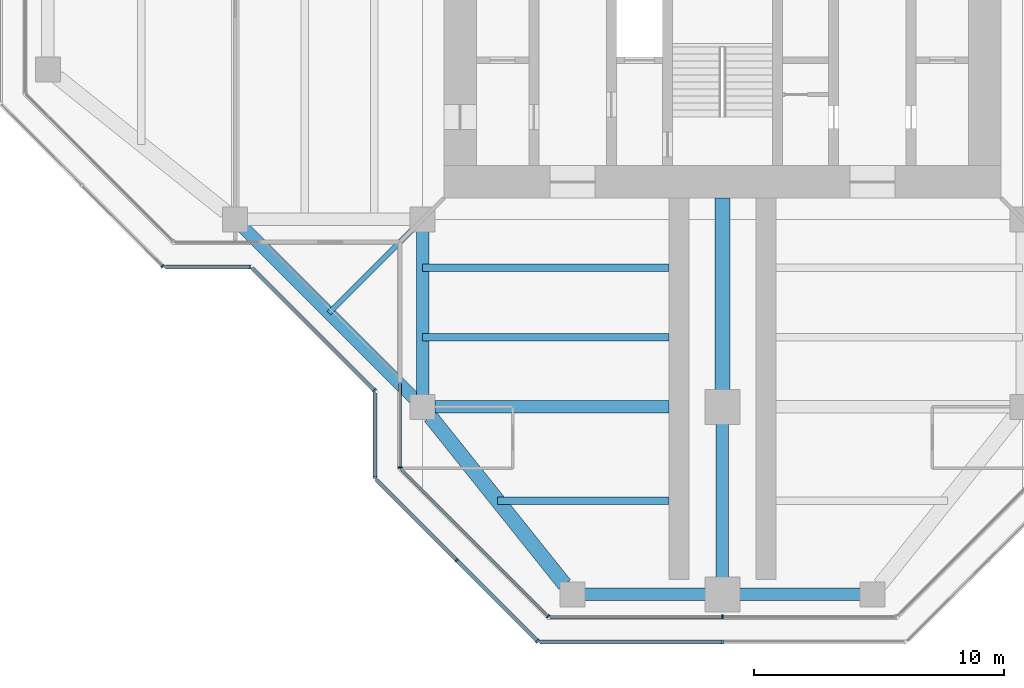
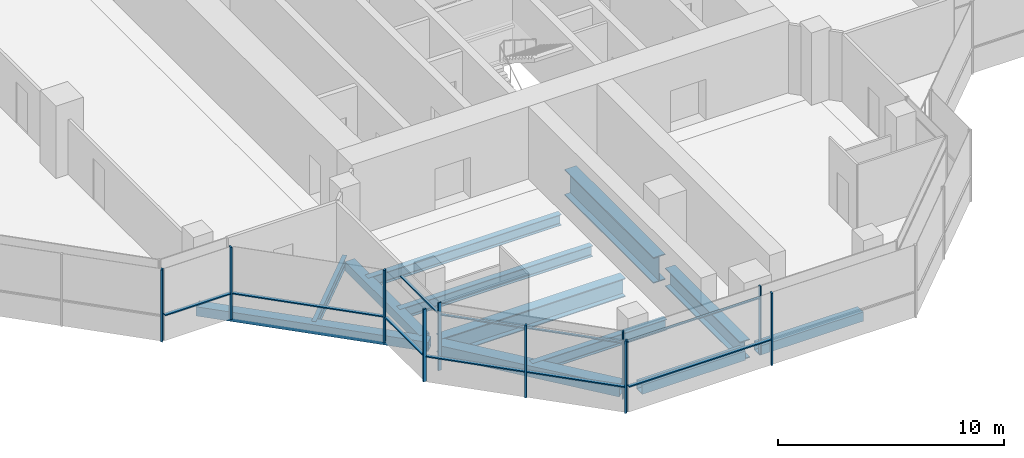
# One storey, part 2 of 15: 19 members, 12 beams, 9 elements without a shape of their own.
"""IFC4 building model written with IfcOpenShell, lengths in metres."""

from ifc_helpers import new_model, si_unit, direction, frame, origin, origin_2d, place, context, subcontext, project, spatial, rectangle, hollow_rectangle, i_section, extrude, material, material_profile, profile_set, type_object, element, aggregate, save


model = new_model("IFC4")

# Units and contexts
model_context = context("Model", 3, precision=1e-05, world=origin(), true_north=direction((0.0, 1.0)))
body_context = subcontext(model_context, "Body", "Model", "MODEL_VIEW")
ifc_project = project(units=[si_unit("LENGTHUNIT", "METRE"), si_unit("AREAUNIT", "SQUARE_METRE"), si_unit("VOLUMEUNIT", "CUBIC_METRE"), si_unit("PLANEANGLEUNIT", "RADIAN"), si_unit("MASSUNIT", "GRAM", prefix="KILO")], contexts=[model_context])

# Site, building, storey
site_placement = place(None, origin())
site = spatial("IfcSite", under=ifc_project, at=site_placement, CompositionType="ELEMENT")
building_placement = place(site_placement, origin())
building = spatial("IfcBuilding", under=site, at=building_placement, Name="Mizan Broadcast Tower", CompositionType="ELEMENT")
storey_placement = place(building_placement, frame((0.0, 0.0, 302.39990234375)))
storey = spatial("IfcBuildingStorey", under=building, at=storey_placement, Name="L72", CompositionType="ELEMENT", Elevation=302.39990234375)

# Beams
ifc_material_1 = material(Name="Steel S355", Category="steel")
ifc_material_profile_1 = material_profile(ifc_material_1, hollow_rectangle(XDim=0.5, YDim=0.5, WallThickness=0.030029296875, at=origin_2d()), Name="BOX 500x500x30")
ifc_profile_set_1 = profile_set([ifc_material_profile_1], Name="Steel S355")
beam_type_1 = type_object("IfcBeamType", Name="EDGE BEAM BOX 500x500x30", PredefinedType="SPANDREL", material=ifc_profile_set_1)
beam_1_placement = place(storey_placement, frame((-12.0, -12.449951171875, -0.3798828125), z_axis=(0.0, -1.0, 0.0), x_axis=(1.0, 0.0, 0.0)))
element("IfcBeam", 1, at=beam_1_placement, inside=storey, type_object=beam_type_1, Name="Edge beam BOX 500x500x30 L72 south arm", PredefinedType="SPANDREL", context=body_context, shape_type="SweptSolid", body=[
    extrude(hollow_rectangle(XDim=0.5, YDim=0.5, WallThickness=0.030029296875, at=origin_2d()), origin(), (0.0, 0.0, 1.0), 6.60009765625),
])
for number, where, z_axis, x_axis, name in (
    (2, (-5.639892578125, -27.0, -0.3798828125), (1.0, 0.0, 0.0), (0.0, 1.0, 0.0), "Edge beam BOX 500x500x30 L72 south arm"),
    (3, (5.639892578125, -27.0, -0.3798828125), (-1.0, 0.0, 0.0), (0.0, -1.0, 0.0), "Edge beam BOX 500x500x30 L72 south arm"),
):
    element("IfcBeam", number, at=place(storey_placement, frame(where, z_axis=z_axis, x_axis=x_axis)), inside=storey, type_object=beam_type_1, Name=name, PredefinedType="SPANDREL", context=body_context, shape_type="SweptSolid", body=[
        extrude(hollow_rectangle(XDim=0.5, YDim=0.5, WallThickness=0.030029296875, at=origin_2d()), origin(), (0.0, 0.0, 1.0), 5.27978515625),
    ])
beam_2_placement = place(storey_placement, frame((-19.5, -12.0, -0.3798828125), z_axis=(0.707106781187, -0.707106781187, 0.0), x_axis=(0.707106781187, 0.707106781187, 0.0)))
element("IfcBeam", 4, at=beam_2_placement, inside=storey, type_object=beam_type_1, Name="Winter garden edge beam L72 W", PredefinedType="SPANDREL", context=body_context, shape_type="SweptSolid", body=[
    extrude(hollow_rectangle(XDim=0.5, YDim=0.5, WallThickness=0.030029296875, at=origin_2d()), origin(), (0.0, 0.0, 1.0), 10.606689453125),
])
ifc_material_2 = material(Name="Steel S355", Category="steel")
ifc_material_profile_2 = material_profile(ifc_material_2, hollow_rectangle(XDim=0.60009765625, YDim=0.60009765625, WallThickness=0.030029296875, at=origin_2d()), Name="BOX 600x600x30")
ifc_profile_set_2 = profile_set([ifc_material_profile_2], Name="Steel S355")
beam_type_2 = type_object("IfcBeamType", Name="EDGE BEAM BOX 600x600x30", PredefinedType="SPANDREL", material=ifc_profile_set_2)
beam_3_placement = place(storey_placement, frame((-11.687744140625, -19.890380859375, -0.429931640625), z_axis=(0.62470196761, -0.780863273348, 0.0), x_axis=(0.780863273348, 0.62470196761, 0.0)))
element("IfcBeam", 5, at=beam_3_placement, inside=storey, type_object=beam_type_2, Name="Edge beam BOX 600x600x30 L72 south arm", PredefinedType="SPANDREL", context=body_context, shape_type="SweptSolid", body=[
    extrude(hollow_rectangle(XDim=0.60009765625, YDim=0.60009765625, WallThickness=0.030029296875, at=origin_2d()), origin(), (0.0, 0.0, 1.0), 8.60498046875),
])
ifc_material_3 = material(Name="Steel S460", Category="steel")
ifc_material_profile_3 = material_profile(ifc_material_3, i_section(OverallWidth=0.5, OverallDepth=1.0, WebThickness=0.02490234375, FlangeThickness=0.050048828125, at=origin_2d()), Name="WPG 1000x500")
ifc_profile_set_3 = profile_set([ifc_material_profile_3], Name="Steel S460")
beam_type_3 = type_object("IfcBeamType", Name="GIRDER WPG 1000x500", PredefinedType="BEAM", material=ifc_profile_set_3)
beam_4_placement = place(storey_placement, frame((0.0, -19.949951171875, -0.6298828125), z_axis=(0.0, -1.0, 0.0), x_axis=(1.0, 0.0, 0.0)))
element("IfcBeam", 6, at=beam_4_placement, inside=storey, type_object=beam_type_3, Name="Girder WPG 1000x500 L72 south arm", PredefinedType="BEAM", context=body_context, shape_type="SweptSolid", body=[
    extrude(i_section(OverallWidth=0.5, OverallDepth=1.0, WebThickness=0.02490234375, FlangeThickness=0.050048828125, at=origin_2d()), origin(), (0.0, 0.0, 1.0), 6.60009765625),
])
beam_5_placement = place(storey_placement, frame((-11.5, -19.5, -0.6298828125), z_axis=(1.0, 0.0, 0.0), x_axis=(0.0, 1.0, 0.0)))
element("IfcBeam", 7, at=beam_5_placement, inside=storey, type_object=beam_type_3, Name="Girder WPG 1000x500 L72 south arm", PredefinedType="BEAM", context=body_context, shape_type="SweptSolid", body=[
    extrude(i_section(OverallWidth=0.5, OverallDepth=1.0, WebThickness=0.02490234375, FlangeThickness=0.050048828125, at=origin_2d()), origin(), (0.0, 0.0, 1.0), 9.35009765625),
])
ifc_material_4 = material(Name="Steel S460", Category="steel")
ifc_material_profile_4 = material_profile(ifc_material_4, i_section(OverallWidth=0.60009765625, OverallDepth=1.39990234375, WebThickness=0.02490234375, FlangeThickness=0.06005859375, at=origin_2d()), Name="WPG 1400x600")
ifc_profile_set_4 = profile_set([ifc_material_profile_4], Name="Steel S460")
beam_type_4 = type_object("IfcBeamType", Name="GIRDER WPG 1400x600", PredefinedType="BEAM", material=ifc_profile_set_4)
beam_6_placement = place(storey_placement, frame((0.0, -11.14990234375, -0.829833984375), z_axis=(0.0, -1.0, 0.0), x_axis=(1.0, 0.0, 0.0)))
element("IfcBeam", 8, at=beam_6_placement, inside=storey, type_object=beam_type_4, Name="Girder WPG 1400x600 L72 south arm", PredefinedType="BEAM", context=body_context, shape_type="SweptSolid", body=[
    extrude(i_section(OverallWidth=0.60009765625, OverallDepth=1.39990234375, WebThickness=0.02490234375, FlangeThickness=0.06005859375, at=origin_2d()), origin(), (0.0, 0.0, 1.0), 7.84912109375),
])

# Curtain wall, member
ifc_material_5 = material(Name="Aluminium framed glazing", Category="aluminium")
curtain_wall_type_1 = type_object("IfcCurtainWallType", Name="INNER SKIN TOP ZONE", PredefinedType="USERDEFINED", material=ifc_material_5)
curtain_wall_1_placement = place(storey_placement, origin())
curtain_wall_1 = element("IfcCurtainWall", 9, at=curtain_wall_1_placement, inside=storey, type_object=curtain_wall_type_1, Name="Inner skin top zone L72 S side", ObjectType="INNER SKIN TOP ZONE", PredefinedType="USERDEFINED")
ifc_material_6 = material(Name="Aluminium, pale anodised", Category="aluminium")
ifc_material_profile_5 = material_profile(ifc_material_6, rectangle(XDim=0.159912109375, YDim=0.06005859375, at=origin_2d()), Name="MULLION 160x60")
ifc_profile_set_5 = profile_set([ifc_material_profile_5], Name="Aluminium, pale anodised")
member_type_1 = type_object("IfcMemberType", Name="INNER SKIN MULLION 60x160", PredefinedType="MULLION", material=ifc_profile_set_5)
member_1_placement = place(storey_placement, frame((-12.89990234375, -21.928466796875, 0.0), z_axis=(0.0, 0.0, 1.0), x_axis=(1.0, 0.0, 0.0)))
member_1 = element("IfcMember", 10, at=member_1_placement, type_object=member_type_1, Name="Inner skin top zone L72 S side mullion 2", PredefinedType="MULLION", context=body_context, shape_type="SweptSolid", body=[
    extrude(rectangle(XDim=0.159912109375, YDim=0.06005859375, at=origin_2d()), origin(), (0.0, 0.0, 1.0), 3.650146484375),
])

curtain_wall_2_placement = place(storey_placement, origin())
curtain_wall_2 = element("IfcCurtainWall", 11, at=curtain_wall_2_placement, inside=storey, type_object=curtain_wall_type_1, Name="Inner skin top zone L72 S chamfer", ObjectType="INNER SKIN TOP ZONE", PredefinedType="USERDEFINED")
member_2_placement = place(storey_placement, frame((-6.979736328125, -27.87890625, 0.0), z_axis=(0.0, 0.0, 1.0), x_axis=(0.707106781187, 0.707106781187, 0.0)))
member_2 = element("IfcMember", 12, at=member_2_placement, type_object=member_type_1, Name="Inner skin top zone L72 S chamfer mullion 2", PredefinedType="MULLION", context=body_context, shape_type="SweptSolid", body=[
    extrude(rectangle(XDim=0.159912109375, YDim=0.06005859375, at=origin_2d()), origin(), (0.0, 0.0, 1.0), 3.650146484375),
])

curtain_wall_3_placement = place(storey_placement, origin())
curtain_wall_3 = element("IfcCurtainWall", 13, at=curtain_wall_3_placement, inside=storey, type_object=curtain_wall_type_1, Name="Inner skin top zone L72 S end", ObjectType="INNER SKIN TOP ZONE", PredefinedType="USERDEFINED")
member_3_placement = place(storey_placement, frame((0.0, -27.89990234375, 0.0), z_axis=(0.0, 0.0, 1.0), x_axis=(0.0, 1.0, 0.0)))
member_3 = element("IfcMember", 14, at=member_3_placement, type_object=member_type_1, Name="Inner skin top zone L72 S end mullion 2", PredefinedType="MULLION", context=body_context, shape_type="SweptSolid", body=[
    extrude(rectangle(XDim=0.159912109375, YDim=0.06005859375, at=origin_2d()), origin(), (0.0, 0.0, 1.0), 3.650146484375),
])

# Member
ifc_material_7 = material(Name="Aluminium, pale anodised", Category="aluminium")
ifc_material_profile_6 = material_profile(ifc_material_7, rectangle(XDim=0.1201171875, YDim=0.06005859375, at=origin_2d()), Name="TRANSOM 120x60")
ifc_profile_set_6 = profile_set([ifc_material_profile_6], Name="Aluminium, pale anodised")
member_type_2 = type_object("IfcMemberType", Name="INNER SKIN TRANSOM 60x120", PredefinedType="USERDEFINED", material=ifc_profile_set_6)
member_4_placement = place(storey_placement, frame((-12.89990234375, -18.56005859375, 3.030029296875), z_axis=(0.0, -1.0, 0.0), x_axis=(1.0, 0.0, 0.0)))
member_4 = element("IfcMember", 15, at=member_4_placement, type_object=member_type_2, Name="Inner skin top zone L72 S side transom 1.1", ObjectType="TRANSOM", PredefinedType="USERDEFINED", context=body_context, shape_type="SweptSolid", body=[
    extrude(rectangle(XDim=0.1201171875, YDim=0.06005859375, at=origin_2d()), origin(), (0.0, 0.0, 1.0), 3.338623046875),
])

aggregate(curtain_wall_1, [member_1, member_4])

member_5_placement = place(storey_placement, frame((-12.857666015625, -22.0009765625, 3.030029296875), z_axis=(0.707106781187, -0.707106781187, 0.0), x_axis=(0.707106781187, 0.707106781187, 0.0)))
member_5 = element("IfcMember", 16, at=member_5_placement, type_object=member_type_2, Name="Inner skin top zone L72 S chamfer transom 1.1", ObjectType="TRANSOM", PredefinedType="USERDEFINED", context=body_context, shape_type="SweptSolid", body=[
    extrude(rectangle(XDim=0.1201171875, YDim=0.06005859375, at=origin_2d()), origin(), (0.0, 0.0, 1.0), 8.28271484375),
])

aggregate(curtain_wall_2, [member_2, member_5])

member_6_placement = place(storey_placement, frame((-6.898681640625, -27.89990234375, 3.030029296875), z_axis=(1.0, 0.0, 0.0), x_axis=(0.0, 1.0, 0.0)))
member_6 = element("IfcMember", 17, at=member_6_placement, type_object=member_type_2, Name="Inner skin top zone L72 S end transom 1.1", ObjectType="TRANSOM", PredefinedType="USERDEFINED", context=body_context, shape_type="SweptSolid", body=[
    extrude(rectangle(XDim=0.1201171875, YDim=0.06005859375, at=origin_2d()), origin(), (0.0, 0.0, 1.0), 6.86865234375),
])

aggregate(curtain_wall_3, [member_3, member_6])

# Curtain wall, member
ifc_material_8 = material(Name="Aluminium framed glazing", Category="aluminium")
curtain_wall_type_2 = type_object("IfcCurtainWallType", Name="OUTER SKIN", PredefinedType="USERDEFINED", material=ifc_material_8)
curtain_wall_4_placement = place(storey_placement, origin())
curtain_wall_4 = element("IfcCurtainWall", 18, at=curtain_wall_4_placement, inside=storey, type_object=curtain_wall_type_2, Name="Outer skin L72 W chamfer", ObjectType="OUTER SKIN", PredefinedType="USERDEFINED")
ifc_material_9 = material(Name="Aluminium, pale anodised", Category="aluminium")
ifc_material_profile_7 = material_profile(ifc_material_9, rectangle(XDim=0.159912109375, YDim=0.080078125, at=origin_2d()), Name="MULLION 160x80")
ifc_profile_set_7 = profile_set([ifc_material_profile_7], Name="Aluminium, pale anodised")
member_type_3 = type_object("IfcMemberType", Name="OUTER SKIN MULLION 80x160", PredefinedType="MULLION", material=ifc_profile_set_7)
member_7_placement = place(storey_placement, frame((-22.401123046875, -13.871826171875, 0.0), z_axis=(0.0, 0.0, 1.0), x_axis=(0.707106781187, 0.707106781187, 0.0)))
member_7 = element("IfcMember", 19, at=member_7_placement, type_object=member_type_3, Name="Outer skin L72 W chamfer mullion 3", PredefinedType="MULLION", context=body_context, shape_type="SweptSolid", body=[
    extrude(rectangle(XDim=0.159912109375, YDim=0.080078125, at=origin_2d()), origin(), (0.0, 0.0, 1.0), 3.900146484375),
])
aggregate(curtain_wall_4, [member_7])

curtain_wall_5_placement = place(storey_placement, origin())
curtain_wall_5 = element("IfcCurtainWall", 20, at=curtain_wall_5_placement, inside=storey, type_object=curtain_wall_type_2, Name="Outer skin L72 W side", ObjectType="OUTER SKIN", PredefinedType="USERDEFINED")
member_8_placement = place(storey_placement, frame((-18.912841796875, -13.89990234375, 0.0), z_axis=(0.0, 0.0, 1.0), x_axis=(0.0, 1.0, 0.0)))
member_8 = element("IfcMember", 21, at=member_8_placement, type_object=member_type_3, Name="Outer skin L72 W side mullion 2", PredefinedType="MULLION", context=body_context, shape_type="SweptSolid", body=[
    extrude(rectangle(XDim=0.159912109375, YDim=0.080078125, at=origin_2d()), origin(), (0.0, 0.0, 1.0), 3.900146484375),
])

curtain_wall_6_placement = place(storey_placement, origin())
curtain_wall_6 = element("IfcCurtainWall", 22, at=curtain_wall_6_placement, inside=storey, type_object=curtain_wall_type_2, Name="Outer skin L72 W chamfer", ObjectType="OUTER SKIN", PredefinedType="USERDEFINED")
member_9_placement = place(storey_placement, frame((-13.92822265625, -18.844482421875, 0.0), z_axis=(0.0, 0.0, 1.0), x_axis=(0.707106781187, 0.707106781187, 0.0)))
member_9 = element("IfcMember", 23, at=member_9_placement, type_object=member_type_3, Name="Outer skin L72 W chamfer mullion 2", PredefinedType="MULLION", context=body_context, shape_type="SweptSolid", body=[
    extrude(rectangle(XDim=0.159912109375, YDim=0.080078125, at=origin_2d()), origin(), (0.0, 0.0, 1.0), 3.900146484375),
])

curtain_wall_7_placement = place(storey_placement, origin())
curtain_wall_7 = element("IfcCurtainWall", 24, at=curtain_wall_7_placement, inside=storey, type_object=curtain_wall_type_2, Name="Outer skin L72 S side", ObjectType="OUTER SKIN", PredefinedType="USERDEFINED")
member_10_placement = place(storey_placement, frame((-13.89990234375, -22.332763671875, 0.0), z_axis=(0.0, 0.0, 1.0), x_axis=(1.0, 0.0, 0.0)))
member_10 = element("IfcMember", 25, at=member_10_placement, type_object=member_type_3, Name="Outer skin L72 S side mullion 2", PredefinedType="MULLION", context=body_context, shape_type="SweptSolid", body=[
    extrude(rectangle(XDim=0.159912109375, YDim=0.080078125, at=origin_2d()), origin(), (0.0, 0.0, 1.0), 3.900146484375),
])

# Curtain wall, members
curtain_wall_8_placement = place(storey_placement, origin())
curtain_wall_8 = element("IfcCurtainWall", 26, at=curtain_wall_8_placement, inside=storey, type_object=curtain_wall_type_2, Name="Outer skin L72 S chamfer", ObjectType="OUTER SKIN", PredefinedType="USERDEFINED")
member_11_placement = place(storey_placement, frame((-10.636474609375, -25.636474609375, 0.0), z_axis=(0.0, 0.0, 1.0), x_axis=(0.707106781187, 0.707106781187, 0.0)))
member_11 = element("IfcMember", 27, at=member_11_placement, type_object=member_type_3, Name="Outer skin L72 S chamfer mullion 2", PredefinedType="MULLION", context=body_context, shape_type="SweptSolid", body=[
    extrude(rectangle(XDim=0.159912109375, YDim=0.080078125, at=origin_2d()), origin(), (0.0, 0.0, 1.0), 3.900146484375),
])
member_12_placement = place(storey_placement, frame((-7.401123046875, -28.871826171875, 0.0), z_axis=(0.0, 0.0, 1.0), x_axis=(0.707106781187, 0.707106781187, 0.0)))
member_12 = element("IfcMember", 28, at=member_12_placement, type_object=member_type_3, Name="Outer skin L72 S chamfer mullion 3", PredefinedType="MULLION", context=body_context, shape_type="SweptSolid", body=[
    extrude(rectangle(XDim=0.159912109375, YDim=0.080078125, at=origin_2d()), origin(), (0.0, 0.0, 1.0), 3.900146484375),
])

# Curtain wall, member
curtain_wall_9_placement = place(storey_placement, origin())
curtain_wall_9 = element("IfcCurtainWall", 29, at=curtain_wall_9_placement, inside=storey, type_object=curtain_wall_type_2, Name="Outer skin L72 S end", ObjectType="OUTER SKIN", PredefinedType="USERDEFINED")
member_13_placement = place(storey_placement, frame((0.0, -28.89990234375, 0.0), z_axis=(0.0, 0.0, 1.0), x_axis=(0.0, 1.0, 0.0)))
member_13 = element("IfcMember", 30, at=member_13_placement, type_object=member_type_3, Name="Outer skin L72 S end mullion 2", PredefinedType="MULLION", context=body_context, shape_type="SweptSolid", body=[
    extrude(rectangle(XDim=0.159912109375, YDim=0.080078125, at=origin_2d()), origin(), (0.0, 0.0, 1.0), 3.900146484375),
])

# Member
ifc_material_10 = material(Name="Aluminium, pale anodised", Category="aluminium")
ifc_material_profile_8 = material_profile(ifc_material_10, rectangle(XDim=0.159912109375, YDim=0.06005859375, at=origin_2d()), Name="TRANSOM 160x60")
ifc_profile_set_8 = profile_set([ifc_material_profile_8], Name="Aluminium, pale anodised")
member_type_4 = type_object("IfcMemberType", Name="OUTER SKIN TRANSOM 60x160", PredefinedType="USERDEFINED", material=ifc_profile_set_8)
member_14_placement = place(storey_placement, frame((-22.292724609375, -13.89990234375, 1.400146484375), z_axis=(1.0, 0.0, 0.0), x_axis=(0.0, 1.0, 0.0)))
member_14 = element("IfcMember", 31, at=member_14_placement, type_object=member_type_4, Name="Outer skin L72 W side transom 1.1", ObjectType="TRANSOM", PredefinedType="USERDEFINED", context=body_context, shape_type="SweptSolid", body=[
    extrude(rectangle(XDim=0.159912109375, YDim=0.06005859375, at=origin_2d()), origin(), (0.0, 0.0, 1.0), 3.33984375),
])

aggregate(curtain_wall_5, [member_8, member_14])

member_15_placement = place(storey_placement, frame((-18.816162109375, -13.95654296875, 1.400146484375), z_axis=(0.707106781187, -0.707106781187, 0.0), x_axis=(0.707106781187, 0.707106781187, 0.0)))
member_15 = element("IfcMember", 32, at=member_15_placement, type_object=member_type_4, Name="Outer skin L72 W chamfer transom 1.1", ObjectType="TRANSOM", PredefinedType="USERDEFINED", context=body_context, shape_type="SweptSolid", body=[
    extrude(rectangle(XDim=0.159912109375, YDim=0.06005859375, at=origin_2d()), origin(), (0.0, 0.0, 1.0), 6.87255859375),
])

aggregate(curtain_wall_6, [member_9, member_15])

member_16_placement = place(storey_placement, frame((-13.89990234375, -18.952880859375, 1.400146484375), z_axis=(0.0, -1.0, 0.0), x_axis=(1.0, 0.0, 0.0)))
member_16 = element("IfcMember", 33, at=member_16_placement, type_object=member_type_4, Name="Outer skin L72 S side transom 1.1", ObjectType="TRANSOM", PredefinedType="USERDEFINED", context=body_context, shape_type="SweptSolid", body=[
    extrude(rectangle(XDim=0.159912109375, YDim=0.06005859375, at=origin_2d()), origin(), (0.0, 0.0, 1.0), 3.33984375),
])

aggregate(curtain_wall_7, [member_10, member_16])

member_17_placement = place(storey_placement, frame((-13.843505859375, -22.429443359375, 1.400146484375), z_axis=(0.707106781187, -0.707106781187, 0.0), x_axis=(0.707106781187, 0.707106781187, 0.0)))
member_17 = element("IfcMember", 34, at=member_17_placement, type_object=member_type_4, Name="Outer skin L72 S chamfer transom 1.1", ObjectType="TRANSOM", PredefinedType="USERDEFINED", context=body_context, shape_type="SweptSolid", body=[
    extrude(rectangle(XDim=0.159912109375, YDim=0.06005859375, at=origin_2d()), origin(), (0.0, 0.0, 1.0), 4.495361328125),
])

member_18_placement = place(storey_placement, frame((-10.608154296875, -25.664794921875, 1.400146484375), z_axis=(0.707106781187, -0.707106781187, 0.0), x_axis=(0.707106781187, 0.707106781187, 0.0)))
member_18 = element("IfcMember", 35, at=member_18_placement, type_object=member_type_4, Name="Outer skin L72 S chamfer transom 2.1", ObjectType="TRANSOM", PredefinedType="USERDEFINED", context=body_context, shape_type="SweptSolid", body=[
    extrude(rectangle(XDim=0.159912109375, YDim=0.06005859375, at=origin_2d()), origin(), (0.0, 0.0, 1.0), 4.495361328125),
])

aggregate(curtain_wall_8, [member_11, member_12, member_17, member_18])

member_19_placement = place(storey_placement, frame((-7.292724609375, -28.89990234375, 1.400146484375), z_axis=(1.0, 0.0, 0.0), x_axis=(0.0, 1.0, 0.0)))
member_19 = element("IfcMember", 36, at=member_19_placement, type_object=member_type_4, Name="Outer skin L72 S end transom 1.1", ObjectType="TRANSOM", PredefinedType="USERDEFINED", context=body_context, shape_type="SweptSolid", body=[
    extrude(rectangle(XDim=0.159912109375, YDim=0.06005859375, at=origin_2d()), origin(), (0.0, 0.0, 1.0), 7.252685546875),
])

aggregate(curtain_wall_9, [member_13, member_19])

# Beams
ifc_material_11 = material(Name="Steel S355", Category="steel")
ifc_material_profile_9 = material_profile(ifc_material_11, i_section(OverallWidth=0.300048828125, OverallDepth=0.590087890625, WebThickness=0.012939453125, FlangeThickness=0.02490234375, FilletRadius=0.027099609375, at=origin_2d()), Name="HEA 600")
ifc_profile_set_9 = profile_set([ifc_material_profile_9], Name="Steel S355")
beam_type_5 = type_object("IfcBeamType", Name="SECONDARY BEAM HEA 600", PredefinedType="JOIST", material=ifc_profile_set_9)
for number, where, z_axis, x_axis, name in (
    (37, (-12.0, -13.933349609375, -0.4248046875), (1.0, 0.0, 0.0), (0.0, 1.0, 0.0), "Secondary beam HEA 600 L72 south arm"),
    (38, (-12.0, -16.716552734375, -0.4248046875), (1.0, 0.0, 0.0), (0.0, 1.0, 0.0), "Secondary beam HEA 600 L72 south arm"),
):
    element("IfcBeam", number, at=place(storey_placement, frame(where, z_axis=z_axis, x_axis=x_axis)), inside=storey, type_object=beam_type_5, Name=name, PredefinedType="JOIST", context=body_context, shape_type="SweptSolid", body=[
        extrude(i_section(OverallWidth=0.300048828125, OverallDepth=0.590087890625, WebThickness=0.012939453125, FlangeThickness=0.02490234375, FilletRadius=0.027099609375, at=origin_2d()), origin(), (0.0, 0.0, 1.0), 9.85009765625),
    ])
beam_7_placement = place(storey_placement, frame((-9.0, -23.25, -0.4248046875), z_axis=(1.0, 0.0, 0.0), x_axis=(0.0, 1.0, 0.0)))
element("IfcBeam", 39, at=beam_7_placement, inside=storey, type_object=beam_type_5, Name="Secondary beam HEA 600 L72 south arm", PredefinedType="JOIST", context=body_context, shape_type="SweptSolid", body=[
    extrude(i_section(OverallWidth=0.300048828125, OverallDepth=0.590087890625, WebThickness=0.012939453125, FlangeThickness=0.02490234375, FilletRadius=0.027099609375, at=origin_2d()), origin(), (0.0, 0.0, 1.0), 6.85009765625),
])
ifc_material_12 = material(Name="Steel S355", Category="steel")
ifc_material_profile_10 = material_profile(ifc_material_12, i_section(OverallWidth=0.2099609375, OverallDepth=0.550048828125, WebThickness=0.010986328125, FlangeThickness=0.01708984375, FilletRadius=0.02392578125, at=origin_2d()), Name="IPE 550")
ifc_profile_set_10 = profile_set([ifc_material_profile_10], Name="Steel S355")
beam_type_6 = type_object("IfcBeamType", Name="SECONDARY BEAM IPE 550", PredefinedType="JOIST", material=ifc_profile_set_10)
beam_8_placement = place(storey_placement, frame((-12.0, -12.0, -0.40478515625), z_axis=(-0.707106781187, -0.707106781187, 0.0), x_axis=(0.707106781187, -0.707106781187, 0.0)))
element("IfcBeam", 40, at=beam_8_placement, inside=storey, type_object=beam_type_6, Name="Winter garden beam L72 W", PredefinedType="JOIST", context=body_context, shape_type="SweptSolid", body=[
    extrude(i_section(OverallWidth=0.2099609375, OverallDepth=0.550048828125, WebThickness=0.010986328125, FlangeThickness=0.01708984375, FilletRadius=0.02392578125, at=origin_2d()), origin(), (0.0, 0.0, 1.0), 5.30322265625),
])

save(model, "model.ifc")
